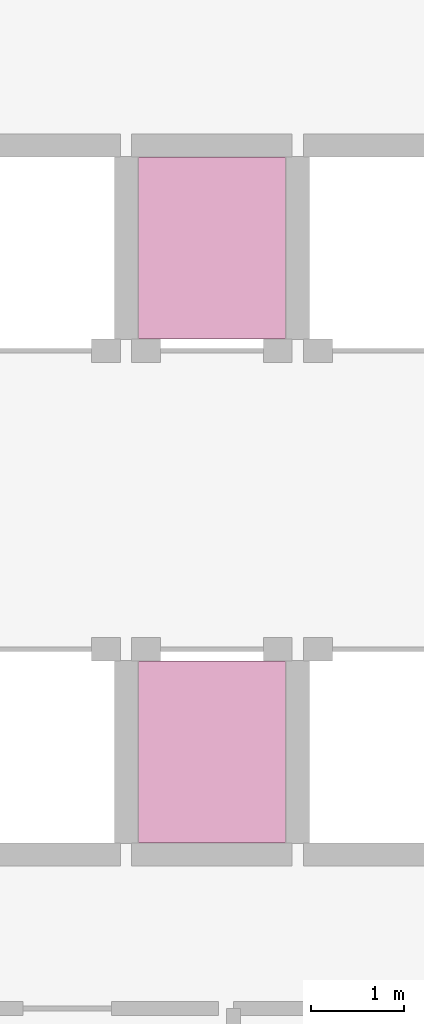
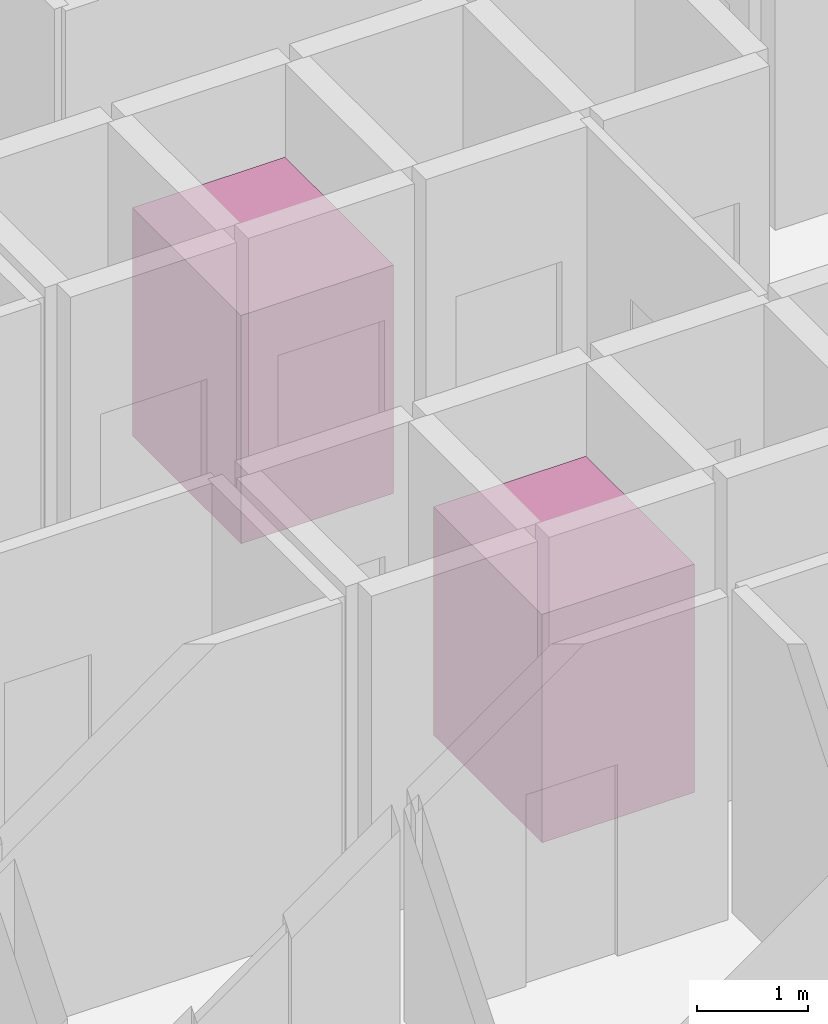
# One storey, part 16 of 16: 2 transport elements.
"""IFC4 building model written with IfcOpenShell, lengths in metres."""

from ifc_helpers import new_model, si_unit, direction, frame, origin, origin_2d, place, context, subcontext, project, spatial, rectangle, extrude, material, type_object, element, save


model = new_model("IFC4")

# Units and contexts
model_context = context("Model", 3, precision=1e-05, world=origin(), true_north=direction((0.0, 1.0)))
body_context = subcontext(model_context, "Body", "Model", "MODEL_VIEW")
ifc_project = project(units=[si_unit("LENGTHUNIT", "METRE"), si_unit("AREAUNIT", "SQUARE_METRE"), si_unit("VOLUMEUNIT", "CUBIC_METRE"), si_unit("PLANEANGLEUNIT", "RADIAN"), si_unit("MASSUNIT", "GRAM", prefix="KILO")], contexts=[model_context])

# Site, building, storey
site_placement = place(None, origin())
site = spatial("IfcSite", under=ifc_project, at=site_placement, CompositionType="ELEMENT")
building_placement = place(site_placement, origin())
building = spatial("IfcBuilding", under=site, at=building_placement, Name="Zulverin Broadcast Headquarters", CompositionType="ELEMENT")
storey_placement = place(building_placement, frame((0.0, 0.0, 125.0)))
storey = spatial("IfcBuildingStorey", under=building, at=storey_placement, Name="L31", CompositionType="ELEMENT", Elevation=125.0)

# Transport elements
ifc_material = material(Name="Stainless steel & laminated glass elevator car", Category="steel")
transport_element_type = type_object("IfcTransportElementType", Name="LFT-PASS-1600", PredefinedType="ELEVATOR", material=ifc_material)
for number, where, z_axis, x_axis, name in (
    (1, (32.60009765625, 22.5, 0.02001953125), (0.0, 0.0, 1.0), (1.0, 0.0, 0.0), "Elevator Car PL-M2 (1600 kg, L00-L55)"),
    (2, (32.60009765625, 27.89990234375, 0.02001953125), (0.0, 0.0, 1.0), (1.0, 0.0, 0.0), "Elevator Car PL-H2 (1600 kg, L00-L78)"),
):
    element("IfcTransportElement", number, at=place(storey_placement, frame(where, z_axis=z_axis, x_axis=x_axis)), inside=storey, type_object=transport_element_type, Name=name, PredefinedType="ELEVATOR", context=body_context, shape_type="SweptSolid", body=[
        extrude(rectangle(XDim=1.580078125, YDim=1.949951171875, at=origin_2d()), origin(), (0.0, 0.0, 1.0), 2.5),
    ])

save(model, "model.ifc")
